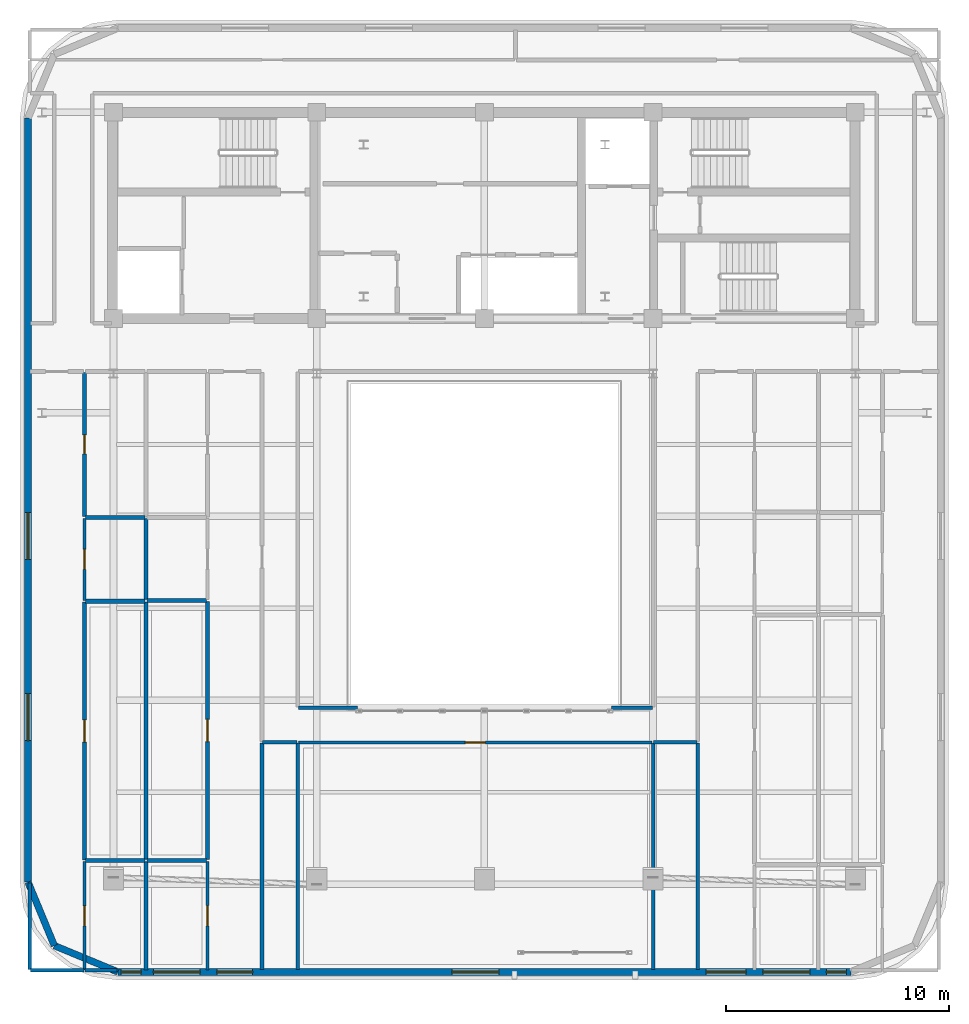
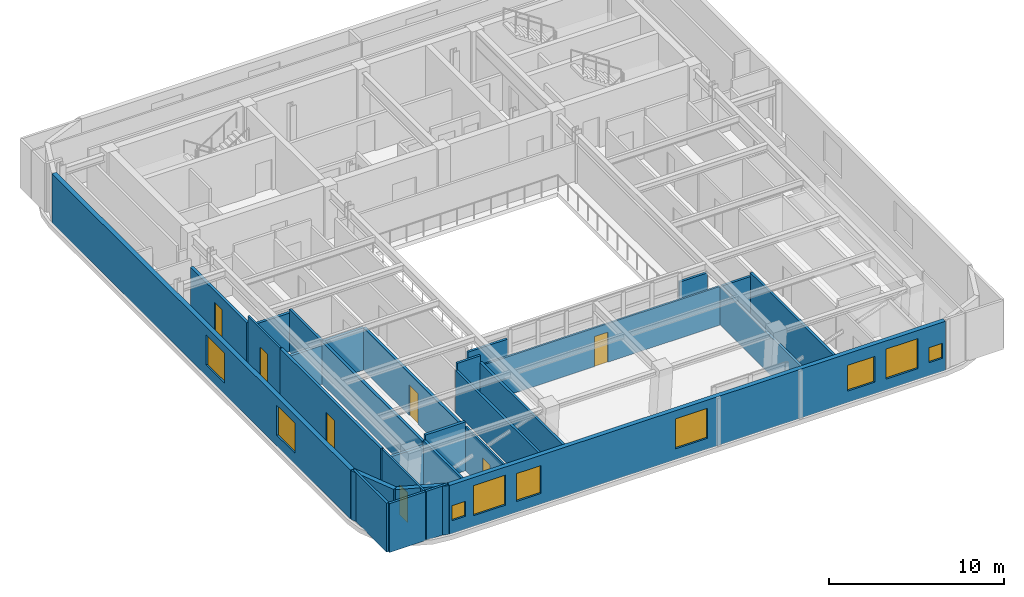
# One storey, part 7 of 14: 30 walls, 9 windows, 7 doors, 16 openings.
"""IFC4 building model written with IfcOpenShell, lengths in metres."""

from ifc_helpers import new_model, si_unit, direction, frame, frame_2d, origin, place, context, subcontext, project, spatial, rectangle, extrude, material, layer, layer_set, type_object, element, fill, save


model = new_model("IFC4")

# Units and contexts
model_context = context("Model", 3, precision=1e-05, world=origin(), true_north=direction((0.0, 1.0)))
body_context = subcontext(model_context, "Body", "Model", "MODEL_VIEW")
ifc_project = project(units=[si_unit("LENGTHUNIT", "METRE"), si_unit("AREAUNIT", "SQUARE_METRE"), si_unit("VOLUMEUNIT", "CUBIC_METRE"), si_unit("PLANEANGLEUNIT", "RADIAN"), si_unit("MASSUNIT", "GRAM", prefix="KILO")], contexts=[model_context])

# Site, building, storey
site_placement = place(None, origin())
site = spatial("IfcSite", under=ifc_project, at=site_placement, CompositionType="ELEMENT")
building_placement = place(site_placement, origin())
building = spatial("IfcBuilding", under=site, at=building_placement, Name="Zarnavel Station Tower", CompositionType="ELEMENT")
storey_placement = place(building_placement, frame((0.0, 0.0, 258.39990234375)))
storey = spatial("IfcBuildingStorey", under=building, at=storey_placement, Name="L70", CompositionType="ELEMENT", Elevation=258.39990234375)

# Wall, openings, windows
ifc_material_1 = material(Name="Precast concrete C45/55 (Dark Basalt Finish)", Category="masonry")
ifc_layer_1 = layer(ifc_material_1, 0.300048828125)
ifc_layer_set_1 = layer_set([ifc_layer_1], Name="EW_BASALT_300")
wall_type_1 = type_object("IfcWallType", Name="EW_BASALT_300", PredefinedType="SOLIDWALL", material=ifc_layer_set_1)
wall_1_placement = place(storey_placement, frame((8.3798828125, 2.60009765625, 0.0), z_axis=(0.0, 0.0, 1.0), x_axis=(0.0, 1.0, 0.0)))
wall_1 = element("IfcWall", 1, at=wall_1_placement, inside=storey, type_object=wall_type_1, Name="L70 Exterior Basalt Masonry Frame Wall 09", PredefinedType="SOLIDWALL", context=body_context, shape_type="SweptSolid", body=[
    extrude(rectangle(XDim=34.199951171875, YDim=0.300048828125, at=frame_2d((17.10009765625, 0.0))), origin(), (0.0, 0.0, 1.0), 3.420166015625),
])
opening_1_placement = place(wall_1_placement, frame((6.330078125, 0.0, 0.75)))
opening_1 = element("IfcOpeningElement", 2, at=opening_1_placement, cuts=wall_1, Name="Opening WN05", PredefinedType="OPENING", context=body_context, shape_type="SweptSolid", body=[
    extrude(rectangle(XDim=2.10009765625, YDim=2.10009765625, at=frame_2d((1.050048828125, 1.050048828125))), frame((0.0, 0.159912109375, 0.0), z_axis=(0.0, -1.0, 0.0), x_axis=(1.0, 0.0, 0.0)), (0.0, 0.0, 1.0), 0.320068359375),
])
opening_2_placement = place(wall_1_placement, frame((14.43994140625, 0.0, 0.75)))
opening_2 = element("IfcOpeningElement", 3, at=opening_2_placement, cuts=wall_1, Name="Opening WN05", PredefinedType="OPENING", context=body_context, shape_type="SweptSolid", body=[
    extrude(rectangle(XDim=2.10009765625, YDim=2.10009765625, at=frame_2d((1.050048828125, 1.050048828125))), frame((0.0, 0.159912109375, 0.0), z_axis=(0.0, -1.0, 0.0), x_axis=(1.0, 0.0, 0.0)), (0.0, 0.0, 1.0), 0.320068359375),
])
ifc_material_2 = material(Name="Thermally Broken Black Aluminium and Low-E Dark Glass", Category="aluminium")
window_type_1 = type_object("IfcWindowType", Name="WN_2100x2100", PartitioningType="TRIPLE_PANEL_VERTICAL", PredefinedType="WINDOW", material=ifc_material_2)
window_1_placement = place(opening_1_placement, origin())
window_1 = element("IfcWindow", 4, at=window_1_placement, inside=storey, type_object=window_type_1, Name="L70 Recessed Facade Window 01", OverallHeight=2.10009765625, OverallWidth=2.10009765625, PartitioningType="SINGLE_PANEL", PredefinedType="WINDOW", context=body_context, shape_type="SweptSolid", body=[
    extrude(rectangle(XDim=2.10009765625, YDim=2.10009765625, at=frame_2d((1.050048828125, 1.050048828125))), frame((0.0, 0.030029296875, 0.0), z_axis=(0.0, -1.0, 0.0), x_axis=(1.0, 0.0, 0.0)), (0.0, 0.0, 1.0), 0.06005859375),
])
fill(opening_1, window_1)
window_2_placement = place(opening_2_placement, origin())
window_2 = element("IfcWindow", 5, at=window_2_placement, inside=storey, type_object=window_type_1, Name="L70 Recessed Facade Window 02", OverallHeight=2.10009765625, OverallWidth=2.10009765625, PartitioningType="SINGLE_PANEL", PredefinedType="WINDOW", context=body_context, shape_type="SweptSolid", body=[
    extrude(rectangle(XDim=2.10009765625, YDim=2.10009765625, at=frame_2d((1.050048828125, 1.050048828125))), frame((0.0, 0.030029296875, 0.0), z_axis=(0.0, -1.0, 0.0), x_axis=(1.0, 0.0, 0.0)), (0.0, 0.0, 1.0), 0.06005859375),
])
fill(opening_2, window_2)

# Walls
wall_2_placement = place(storey_placement, frame((9.557373046875, -0.24267578125, 0.0), z_axis=(0.0, 0.0, 1.0), x_axis=(-0.382676475685, 0.923882414032, 0.0)))
element("IfcWall", 6, at=wall_2_placement, inside=storey, type_object=wall_type_1, Name="L70 Exterior Basalt Masonry Frame Wall 10", PredefinedType="SOLIDWALL", context=body_context, shape_type="SweptSolid", body=[
    extrude(rectangle(XDim=3.076904296875, YDim=0.300048828125, at=frame_2d((1.53857421875, 0.0))), origin(), (0.0, 0.0, 1.0), 3.420166015625),
])
wall_3_placement = place(storey_placement, frame((12.39990234375, -1.419921875, 0.0), z_axis=(0.0, 0.0, 1.0), x_axis=(-0.92389884758, 0.382636798336, 0.0)))
element("IfcWall", 7, at=wall_3_placement, inside=storey, type_object=wall_type_1, Name="L70 Exterior Basalt Masonry Frame Wall 11", PredefinedType="SOLIDWALL", context=body_context, shape_type="SweptSolid", body=[
    extrude(rectangle(XDim=3.07666015625, YDim=0.300048828125, at=frame_2d((1.538330078125, 0.0))), origin(), (0.0, 0.0, 1.0), 3.420166015625),
])

# Wall, openings, windows
wall_4_placement = place(storey_placement, frame((45.199951171875, -1.419921875, 0.0), z_axis=(0.0, 0.0, 1.0), x_axis=(-1.0, 0.0, 0.0)))
wall_4 = element("IfcWall", 8, at=wall_4_placement, inside=storey, type_object=wall_type_1, Name="L70 Exterior Basalt Masonry Frame Wall 12", PredefinedType="SOLIDWALL", context=body_context, shape_type="SweptSolid", body=[
    extrude(rectangle(XDim=32.800048828125, YDim=0.300048828125, at=frame_2d((16.39990234375, 0.0))), origin(), (0.0, 0.0, 1.0), 3.420166015625),
])
opening_3_placement = place(wall_4_placement, frame((26.76953125, 0.0, 0.75)))
opening_3 = element("IfcOpeningElement", 9, at=opening_3_placement, cuts=wall_4, Name="Opening WN06", PredefinedType="OPENING", context=body_context, shape_type="SweptSolid", body=[
    extrude(rectangle(XDim=1.60009765625, YDim=1.949951171875, at=frame_2d((0.800048828125, 0.97509765625))), frame((0.0, 0.159912109375, 0.0), z_axis=(0.0, -1.0, 0.0), x_axis=(1.0, 0.0, 0.0)), (0.0, 0.0, 1.0), 0.320068359375),
])
opening_4_placement = place(wall_4_placement, frame((29.114501953125, 0.0, 0.75)))
opening_4 = element("IfcOpeningElement", 10, at=opening_4_placement, cuts=wall_4, Name="Opening WN05", PredefinedType="OPENING", context=body_context, shape_type="SweptSolid", body=[
    extrude(rectangle(XDim=2.10009765625, YDim=2.10009765625, at=frame_2d((1.050048828125, 1.050048828125))), frame((0.0, 0.159912109375, 0.0), z_axis=(0.0, -1.0, 0.0), x_axis=(1.0, 0.0, 0.0)), (0.0, 0.0, 1.0), 0.320068359375),
])
opening_5_placement = place(wall_4_placement, frame((15.75, 0.0, 0.75)))
opening_5 = element("IfcOpeningElement", 11, at=opening_5_placement, cuts=wall_4, Name="Opening WN05", PredefinedType="OPENING", context=body_context, shape_type="SweptSolid", body=[
    extrude(rectangle(XDim=2.10009765625, YDim=2.10009765625, at=frame_2d((1.050048828125, 1.050048828125))), frame((0.0, 0.159912109375, 0.0), z_axis=(0.0, -1.0, 0.0), x_axis=(1.0, 0.0, 0.0)), (0.0, 0.0, 1.0), 0.320068359375),
])
opening_6_placement = place(wall_4_placement, frame((4.680908203125, 0.0, 0.800048828125)))
opening_6 = element("IfcOpeningElement", 12, at=opening_6_placement, cuts=wall_4, Name="Opening WN02", PredefinedType="OPENING", context=body_context, shape_type="SweptSolid", body=[
    extrude(rectangle(XDim=1.800048828125, YDim=1.800048828125, at=frame_2d((0.89990234375, 0.89990234375))), frame((0.0, 0.159912109375, 0.0), z_axis=(0.0, -1.0, 0.0), x_axis=(1.0, 0.0, 0.0)), (0.0, 0.0, 1.0), 0.320068359375),
])
opening_7_placement = place(wall_4_placement, frame((1.8310546875, 0.0, 0.75)))
opening_7 = element("IfcOpeningElement", 13, at=opening_7_placement, cuts=wall_4, Name="Opening WN05", PredefinedType="OPENING", context=body_context, shape_type="SweptSolid", body=[
    extrude(rectangle(XDim=2.10009765625, YDim=2.10009765625, at=frame_2d((1.050048828125, 1.050048828125))), frame((0.0, 0.159912109375, 0.0), z_axis=(0.0, -1.0, 0.0), x_axis=(1.0, 0.0, 0.0)), (0.0, 0.0, 1.0), 0.320068359375),
])
opening_8_placement = place(wall_4_placement, frame((0.199951171875, 0.0, 0.89990234375)))
opening_8 = element("IfcOpeningElement", 14, at=opening_8_placement, cuts=wall_4, Name="Opening WN11", PredefinedType="OPENING", context=body_context, shape_type="SweptSolid", body=[
    extrude(rectangle(XDim=0.89990234375, YDim=1.050048828125, at=frame_2d((0.449951171875, 0.52490234375))), frame((0.0, 0.159912109375, 0.0), z_axis=(0.0, -1.0, 0.0), x_axis=(1.0, 0.0, 0.0)), (0.0, 0.0, 1.0), 0.320068359375),
])
opening_9_placement = place(wall_4_placement, frame((31.760009765625, 0.0, 0.89990234375)))
opening_9 = element("IfcOpeningElement", 15, at=opening_9_placement, cuts=wall_4, Name="Opening WN11", PredefinedType="OPENING", context=body_context, shape_type="SweptSolid", body=[
    extrude(rectangle(XDim=0.89990234375, YDim=1.050048828125, at=frame_2d((0.449951171875, 0.52490234375))), frame((0.0, 0.159912109375, 0.0), z_axis=(0.0, -1.0, 0.0), x_axis=(1.0, 0.0, 0.0)), (0.0, 0.0, 1.0), 0.320068359375),
])
ifc_material_3 = material(Name="Thermally Broken Black Anodised Aluminium and Double Low-E Glazing", Category="aluminium")
window_type_2 = type_object("IfcWindowType", Name="WN_0900x1050", PartitioningType="SINGLE_PANEL", PredefinedType="WINDOW", material=ifc_material_3)
window_3_placement = place(opening_8_placement, origin())
window_3 = element("IfcWindow", 16, at=window_3_placement, inside=storey, type_object=window_type_2, Name="L70 South Bedroom Window UE2B1", OverallHeight=1.050048828125, OverallWidth=0.89990234375, PartitioningType="SINGLE_PANEL", PredefinedType="WINDOW", context=body_context, shape_type="SweptSolid", body=[
    extrude(rectangle(XDim=0.89990234375, YDim=1.050048828125, at=frame_2d((0.449951171875, 0.52490234375))), frame((0.0, 0.030029296875, 0.0), z_axis=(0.0, -1.0, 0.0), x_axis=(1.0, 0.0, 0.0)), (0.0, 0.0, 1.0), 0.06005859375),
])
fill(opening_8, window_3)
window_4_placement = place(opening_9_placement, origin())
window_4 = element("IfcWindow", 17, at=window_4_placement, inside=storey, type_object=window_type_2, Name="L70 South Bedroom Window UW1B1", OverallHeight=1.050048828125, OverallWidth=0.89990234375, PartitioningType="SINGLE_PANEL", PredefinedType="WINDOW", context=body_context, shape_type="SweptSolid", body=[
    extrude(rectangle(XDim=0.89990234375, YDim=1.050048828125, at=frame_2d((0.449951171875, 0.52490234375))), frame((0.0, 0.030029296875, 0.0), z_axis=(0.0, -1.0, 0.0), x_axis=(1.0, 0.0, 0.0)), (0.0, 0.0, 1.0), 0.06005859375),
])
fill(opening_9, window_4)
ifc_material_4 = material(Name="Thermally Broken Black Aluminium and Low-E Dark Glass", Category="aluminium")
window_type_3 = type_object("IfcWindowType", Name="WN_1600x1950", PartitioningType="DOUBLE_PANEL_VERTICAL", PredefinedType="WINDOW", material=ifc_material_4)
window_5_placement = place(opening_3_placement, origin())
window_5 = element("IfcWindow", 18, at=window_5_placement, inside=storey, type_object=window_type_3, Name="L70 Recessed Facade Window 01", OverallHeight=1.949951171875, OverallWidth=1.60009765625, PartitioningType="SINGLE_PANEL", PredefinedType="WINDOW", context=body_context, shape_type="SweptSolid", body=[
    extrude(rectangle(XDim=1.60009765625, YDim=1.949951171875, at=frame_2d((0.800048828125, 0.97509765625))), frame((0.0, 0.030029296875, 0.0), z_axis=(0.0, -1.0, 0.0), x_axis=(1.0, 0.0, 0.0)), (0.0, 0.0, 1.0), 0.06005859375),
])
fill(opening_3, window_5)
ifc_material_5 = material(Name="Thermally Broken Black Aluminium and Low-E Dark Glass", Category="aluminium")
window_type_4 = type_object("IfcWindowType", Name="WN_1800x1800", PartitioningType="DOUBLE_PANEL_VERTICAL", PredefinedType="WINDOW", material=ifc_material_5)
window_6_placement = place(opening_6_placement, origin())
window_6 = element("IfcWindow", 19, at=window_6_placement, inside=storey, type_object=window_type_4, Name="L70 Recessed Facade Window 04", OverallHeight=1.800048828125, OverallWidth=1.800048828125, PartitioningType="SINGLE_PANEL", PredefinedType="WINDOW", context=body_context, shape_type="SweptSolid", body=[
    extrude(rectangle(XDim=1.800048828125, YDim=1.800048828125, at=frame_2d((0.89990234375, 0.89990234375))), frame((0.0, 0.030029296875, 0.0), z_axis=(0.0, -1.0, 0.0), x_axis=(1.0, 0.0, 0.0)), (0.0, 0.0, 1.0), 0.06005859375),
])
fill(opening_6, window_6)
window_7_placement = place(opening_4_placement, origin())
window_7 = element("IfcWindow", 20, at=window_7_placement, inside=storey, type_object=window_type_1, Name="L70 Recessed Facade Window 02", OverallHeight=2.10009765625, OverallWidth=2.10009765625, PartitioningType="SINGLE_PANEL", PredefinedType="WINDOW", context=body_context, shape_type="SweptSolid", body=[
    extrude(rectangle(XDim=2.10009765625, YDim=2.10009765625, at=frame_2d((1.050048828125, 1.050048828125))), frame((0.0, 0.030029296875, 0.0), z_axis=(0.0, -1.0, 0.0), x_axis=(1.0, 0.0, 0.0)), (0.0, 0.0, 1.0), 0.06005859375),
])
fill(opening_4, window_7)
window_8_placement = place(opening_5_placement, origin())
window_8 = element("IfcWindow", 21, at=window_8_placement, inside=storey, type_object=window_type_1, Name="L70 Recessed Facade Window 03", OverallHeight=2.10009765625, OverallWidth=2.10009765625, PartitioningType="SINGLE_PANEL", PredefinedType="WINDOW", context=body_context, shape_type="SweptSolid", body=[
    extrude(rectangle(XDim=2.10009765625, YDim=2.10009765625, at=frame_2d((1.050048828125, 1.050048828125))), frame((0.0, 0.030029296875, 0.0), z_axis=(0.0, -1.0, 0.0), x_axis=(1.0, 0.0, 0.0)), (0.0, 0.0, 1.0), 0.06005859375),
])
fill(opening_5, window_8)
window_9_placement = place(opening_7_placement, origin())
window_9 = element("IfcWindow", 22, at=window_9_placement, inside=storey, type_object=window_type_1, Name="L70 Recessed Facade Window 05", OverallHeight=2.10009765625, OverallWidth=2.10009765625, PartitioningType="SINGLE_PANEL", PredefinedType="WINDOW", context=body_context, shape_type="SweptSolid", body=[
    extrude(rectangle(XDim=2.10009765625, YDim=2.10009765625, at=frame_2d((1.050048828125, 1.050048828125))), frame((0.0, 0.030029296875, 0.0), z_axis=(0.0, -1.0, 0.0), x_axis=(1.0, 0.0, 0.0)), (0.0, 0.0, 1.0), 0.06005859375),
])
fill(opening_7, window_9)

# Walls
ifc_material_6 = material(Name="Gypsum Twin-Stud Acoustic Fire Partition", Category="concrete")
ifc_layer_2 = layer(ifc_material_6, 0.159912109375)
ifc_layer_set_2 = layer_set([ifc_layer_2], Name="PT_DEMISE_160")
wall_type_2 = type_object("IfcWallType", Name="PT_DEMISE_160", PredefinedType="PARTITIONING", material=ifc_layer_set_2)
wall_5_placement = place(storey_placement, frame((13.659912109375, -1.340087890625, 0.0), z_axis=(0.0, 0.0, 1.0), x_axis=(0.0, 1.0, 0.0)))
element("IfcWall", 23, at=wall_5_placement, inside=storey, type_object=wall_type_2, Name="L70 Partition UW1B1-UW2B1", PredefinedType="PARTITIONING", context=body_context, shape_type="SweptSolid", body=[
    extrude(rectangle(XDim=4.858154296875, YDim=0.159912109375, at=frame_2d((2.42919921875, 0.0))), origin(), (0.0, 0.0, 1.0), 3.080078125),
])
wall_6_placement = place(storey_placement, frame((13.659912109375, 15.239013671875, 0.0), z_axis=(0.0, 0.0, 1.0), x_axis=(0.0, 1.0, 0.0)))
element("IfcWall", 24, at=wall_6_placement, inside=storey, type_object=wall_type_2, Name="L70 Partition UW1UT-UW2UT", PredefinedType="PARTITIONING", context=body_context, shape_type="SweptSolid", body=[
    extrude(rectangle(XDim=3.6279296875, YDim=0.159912109375, at=frame_2d((1.81396484375, 0.0))), origin(), (0.0, 0.0, 1.0), 2.9501953125),
])
wall_7_placement = place(storey_placement, frame((18.8798828125, 8.85009765625, 0.0), z_axis=(0.0, 0.0, 1.0), x_axis=(1.0, 0.0, 0.0)))
element("IfcWall", 25, at=wall_7_placement, inside=storey, type_object=wall_type_2, Name="L70 Enclosure Wall COR-AW", PredefinedType="PARTITIONING", context=body_context, shape_type="SweptSolid", body=[
    extrude(rectangle(XDim=1.5400390625, YDim=0.159912109375, at=frame_2d((0.77001953125, 0.0))), origin(), (0.0, 0.0, 1.0), 3.420166015625),
])
wall_8_placement = place(storey_placement, frame((36.3798828125, 8.85009765625, 0.0), z_axis=(0.0, 0.0, 1.0), x_axis=(1.0, 0.0, 0.0)))
element("IfcWall", 26, at=wall_8_placement, inside=storey, type_object=wall_type_2, Name="L70 Enclosure Wall COR-AE", PredefinedType="PARTITIONING", context=body_context, shape_type="SweptSolid", body=[
    extrude(rectangle(XDim=1.940185546875, YDim=0.159912109375, at=frame_2d((0.97021484375, 0.0))), origin(), (0.0, 0.0, 1.0), 2.7001953125),
])
wall_9_placement = place(storey_placement, frame((20.47998046875, 10.39990234375, 0.0), z_axis=(0.0, 0.0, 1.0), x_axis=(1.0, 0.0, 0.0)))
element("IfcWall", 27, at=wall_9_placement, inside=storey, type_object=wall_type_2, Name="L70 Enclosure Wall COR-AS", PredefinedType="PARTITIONING", context=body_context, shape_type="SweptSolid", body=[
    extrude(rectangle(XDim=2.64013671875, YDim=0.159912109375, at=frame_2d((1.320068359375, 0.0))), origin(), (0.0, 0.0, 1.0), 2.7001953125),
])
wall_10_placement = place(storey_placement, frame((34.47998046875, 10.39990234375, 0.0), z_axis=(0.0, 0.0, 1.0), x_axis=(1.0, 0.0, 0.0)))
element("IfcWall", 28, at=wall_10_placement, inside=storey, type_object=wall_type_2, Name="L70 Enclosure Wall COR-AS", PredefinedType="PARTITIONING", context=body_context, shape_type="SweptSolid", body=[
    extrude(rectangle(XDim=1.840087890625, YDim=0.159912109375, at=frame_2d((0.919921875, 0.0))), origin(), (0.0, 0.0, 1.0), 2.7001953125),
])
wall_11_placement = place(storey_placement, frame((8.489990234375, -1.340087890625, 0.0), z_axis=(0.0, 0.0, 1.0), x_axis=(1.0, 0.0, 0.0)))
element("IfcWall", 29, at=wall_11_placement, inside=storey, type_object=wall_type_2, Name="L70 Enclosure Wall UW1LV", PredefinedType="PARTITIONING", context=body_context, shape_type="SweptSolid", body=[
    extrude(rectangle(XDim=2.384033203125, YDim=0.159912109375, at=frame_2d((1.19189453125, 0.0))), origin(), (0.0, 0.0, 1.0), 3.420166015625),
])
wall_12_placement = place(storey_placement, frame((8.4599609375, -1.31005859375, 0.0), z_axis=(0.0, 0.0, 1.0), x_axis=(0.0, 1.0, 0.0)))
element("IfcWall", 30, at=wall_12_placement, inside=storey, type_object=wall_type_2, Name="L70 Enclosure Wall UW1LV", PredefinedType="PARTITIONING", context=body_context, shape_type="SweptSolid", body=[
    extrude(rectangle(XDim=3.880126953125, YDim=0.159912109375, at=frame_2d((1.93994140625, 0.0))), origin(), (0.0, 0.0, 1.0), 3.420166015625),
])
wall_13_placement = place(storey_placement, frame((10.93408203125, -1.340087890625, 0.0), z_axis=(0.0, 0.0, 1.0), x_axis=(1.0, 0.0, 0.0)))
element("IfcWall", 31, at=wall_13_placement, inside=storey, type_object=wall_type_2, Name="L70 Enclosure Wall UW1B1", PredefinedType="PARTITIONING", context=body_context, shape_type="SweptSolid", body=[
    extrude(rectangle(XDim=1.43603515625, YDim=0.159912109375, at=frame_2d((0.718017578125, 0.0))), origin(), (0.0, 0.0, 1.0), 3.420166015625),
])
for number, where, z_axis, x_axis, name in (
    (32, (18.85009765625, -1.31005859375, 0.0), (0.0, 0.0, 1.0), (0.0, 1.0, 0.0), "L70 Enclosure Wall UW2LV"),
    (33, (20.449951171875, -1.31005859375, 0.0), (0.0, 0.0, 1.0), (0.0, 1.0, 0.0), "L70 Enclosure Wall L69OBS"),
):
    element("IfcWall", number, at=place(storey_placement, frame(where, z_axis=z_axis, x_axis=x_axis)), inside=storey, type_object=wall_type_2, Name=name, PredefinedType="PARTITIONING", context=body_context, shape_type="SweptSolid", body=[
        extrude(rectangle(XDim=10.130126953125, YDim=0.159912109375, at=frame_2d((5.06494140625, 0.0))), origin(), (0.0, 0.0, 1.0), 2.9501953125),
    ])
wall_14_placement = place(storey_placement, frame((36.35009765625, -1.31005859375, 0.0), z_axis=(0.0, 0.0, 1.0), x_axis=(0.0, 1.0, 0.0)))
element("IfcWall", 34, at=wall_14_placement, inside=storey, type_object=wall_type_2, Name="L70 Enclosure Wall L69OBS", PredefinedType="PARTITIONING", context=body_context, shape_type="SweptSolid", body=[
    extrude(rectangle(XDim=10.130126953125, YDim=0.159912109375, at=frame_2d((5.06494140625, 0.0))), origin(), (0.0, 0.0, 1.0), 2.7001953125),
])
wall_15_placement = place(storey_placement, frame((38.35009765625, -1.31005859375, 0.0), z_axis=(0.0, 0.0, 1.0), x_axis=(0.0, 1.0, 0.0)))
element("IfcWall", 35, at=wall_15_placement, inside=storey, type_object=wall_type_2, Name="L70 Enclosure Wall UE1LV", PredefinedType="PARTITIONING", context=body_context, shape_type="SweptSolid", body=[
    extrude(rectangle(XDim=10.130126953125, YDim=0.159912109375, at=frame_2d((5.06494140625, 0.0))), origin(), (0.0, 0.0, 1.0), 2.9501953125),
])

# Wall, opening, door
ifc_material_7 = material(Name="Gypsum Metal-Stud Interior Partition", Category="concrete")
ifc_layer_3 = layer(ifc_material_7, 0.1201171875)
ifc_layer_set_3 = layer_set([ifc_layer_3], Name="PT_ROOM_120")
wall_type_3 = type_object("IfcWallType", Name="PT_ROOM_120", PredefinedType="PARTITIONING", material=ifc_layer_set_3)
wall_16_placement = place(storey_placement, frame((20.489990234375, 8.85009765625, 0.0), z_axis=(0.0, 0.0, 1.0), x_axis=(1.0, 0.0, 0.0)))
wall_16 = element("IfcWall", 36, at=wall_16_placement, inside=storey, type_object=wall_type_3, Name="L70 Partition COR-AS-L69OBS", PredefinedType="PARTITIONING", context=body_context, shape_type="SweptSolid", body=[
    extrude(rectangle(XDim=15.820068359375, YDim=0.1201171875, at=frame_2d((7.91015625, 0.0))), origin(), (0.0, 0.0, 1.0), 2.7001953125),
])
opening_10_placement = place(wall_16_placement, frame((7.4599609375, 0.0, 0.0)))
opening_10 = element("IfcOpeningElement", 37, at=opening_10_placement, cuts=wall_16, Name="Opening ID01", PredefinedType="OPENING", context=body_context, shape_type="SweptSolid", body=[
    extrude(rectangle(XDim=0.89990234375, YDim=2.10009765625, at=frame_2d((0.449951171875, 1.050048828125))), frame((0.0, 0.070068359375, 0.0), z_axis=(0.0, -1.0, 0.0), x_axis=(1.0, 0.0, 0.0)), (0.0, 0.0, 1.0), 0.14013671875),
])
ifc_material_8 = material(Name="Painted Galvanised Steel and Hardwood Leaf", Category="steel")
door_type_1 = type_object("IfcDoorType", Name="ID_ROOM_900", OperationType="NOTDEFINED", PredefinedType="DOOR", material=ifc_material_8)
door_1_placement = place(opening_10_placement, origin())
door_1 = element("IfcDoor", 38, at=door_1_placement, inside=storey, type_object=door_type_1, Name="L70 Door COR-AS-L69OBS", OperationType="SINGLE_SWING_LEFT", OverallHeight=2.10009765625, OverallWidth=0.89990234375, PredefinedType="DOOR", context=body_context, shape_type="SweptSolid", body=[
    extrude(rectangle(XDim=0.89990234375, YDim=2.10009765625, at=frame_2d((0.449951171875, 1.050048828125))), frame((0.0, 0.02490234375, 0.0), z_axis=(0.0, -1.0, 0.0), x_axis=(1.0, 0.0, 0.0)), (0.0, 0.0, 1.0), 0.050048828125),
])
fill(opening_10, door_1)

wall_17_placement = place(storey_placement, frame((10.904052734375, -1.340087890625, 0.0), z_axis=(0.0, 0.0, 1.0), x_axis=(0.0, 1.0, 0.0)))
wall_17 = element("IfcWall", 39, at=wall_17_placement, inside=storey, type_object=wall_type_3, Name="L70 Partition UW1LV-UW1B1", PredefinedType="PARTITIONING", context=body_context, shape_type="SweptSolid", body=[
    extrude(rectangle(XDim=4.858154296875, YDim=0.1201171875, at=frame_2d((2.42919921875, 0.0))), origin(), (0.0, 0.0, 1.0), 3.420166015625),
])
opening_11_placement = place(wall_17_placement, frame((1.97900390625, 0.0, 0.0)))
opening_11 = element("IfcOpeningElement", 40, at=opening_11_placement, cuts=wall_17, Name="Opening ID01", PredefinedType="OPENING", context=body_context, shape_type="SweptSolid", body=[
    extrude(rectangle(XDim=0.89990234375, YDim=2.10009765625, at=frame_2d((0.449951171875, 1.050048828125))), frame((0.0, 0.070068359375, 0.0), z_axis=(0.0, -1.0, 0.0), x_axis=(1.0, 0.0, 0.0)), (0.0, 0.0, 1.0), 0.14013671875),
])
door_2_placement = place(opening_11_placement, origin())
door_2 = element("IfcDoor", 41, at=door_2_placement, inside=storey, type_object=door_type_1, Name="L70 Door UW1LV-UW1B1", OperationType="SINGLE_SWING_RIGHT", OverallHeight=2.10009765625, OverallWidth=0.89990234375, PredefinedType="DOOR", context=body_context, shape_type="SweptSolid", body=[
    extrude(rectangle(XDim=0.89990234375, YDim=2.10009765625, at=frame_2d((0.449951171875, 1.050048828125))), frame((0.0, 0.02490234375, 0.0), z_axis=(0.0, -1.0, 0.0), x_axis=(1.0, 0.0, 0.0)), (0.0, 0.0, 1.0), 0.050048828125),
])
fill(opening_11, door_2)

wall_18_placement = place(storey_placement, frame((10.904052734375, 15.208984375, 0.0), z_axis=(0.0, 0.0, 1.0), x_axis=(0.0, 1.0, 0.0)))
wall_18 = element("IfcWall", 42, at=wall_18_placement, inside=storey, type_object=wall_type_3, Name="L70 Partition UW1LV-UW1UT", PredefinedType="PARTITIONING", context=body_context, shape_type="SweptSolid", body=[
    extrude(rectangle(XDim=3.669921875, YDim=0.1201171875, at=frame_2d((1.8349609375, 0.0))), origin(), (0.0, 0.0, 1.0), 3.420166015625),
])
opening_12_placement = place(wall_18_placement, frame((1.385009765625, 0.0, 0.0)))
opening_12 = element("IfcOpeningElement", 43, at=opening_12_placement, cuts=wall_18, Name="Opening ID01", PredefinedType="OPENING", context=body_context, shape_type="SweptSolid", body=[
    extrude(rectangle(XDim=0.89990234375, YDim=2.10009765625, at=frame_2d((0.449951171875, 1.050048828125))), frame((0.0, 0.070068359375, 0.0), z_axis=(0.0, -1.0, 0.0), x_axis=(1.0, 0.0, 0.0)), (0.0, 0.0, 1.0), 0.14013671875),
])
door_3_placement = place(opening_12_placement, origin())
door_3 = element("IfcDoor", 44, at=door_3_placement, inside=storey, type_object=door_type_1, Name="L70 Door UW1LV-UW1UT", OperationType="SINGLE_SWING_RIGHT", OverallHeight=2.10009765625, OverallWidth=0.89990234375, PredefinedType="DOOR", context=body_context, shape_type="SweptSolid", body=[
    extrude(rectangle(XDim=0.89990234375, YDim=2.10009765625, at=frame_2d((0.449951171875, 1.050048828125))), frame((0.0, 0.02490234375, 0.0), z_axis=(0.0, -1.0, 0.0), x_axis=(1.0, 0.0, 0.0)), (0.0, 0.0, 1.0), 0.050048828125),
])
fill(opening_12, door_3)

wall_19_placement = place(storey_placement, frame((16.410888671875, -1.340087890625, 0.0), z_axis=(0.0, 0.0, 1.0), x_axis=(0.0, 1.0, 0.0)))
wall_19 = element("IfcWall", 45, at=wall_19_placement, inside=storey, type_object=wall_type_3, Name="L70 Partition UW2LV-UW2B1", PredefinedType="PARTITIONING", context=body_context, shape_type="SweptSolid", body=[
    extrude(rectangle(XDim=4.8671875, YDim=0.1201171875, at=frame_2d((2.43359375, 0.0))), origin(), (0.0, 0.0, 1.0), 3.080078125),
])
opening_13_placement = place(wall_19_placement, frame((1.9833984375, 0.0, 0.0)))
opening_13 = element("IfcOpeningElement", 46, at=opening_13_placement, cuts=wall_19, Name="Opening ID01", PredefinedType="OPENING", context=body_context, shape_type="SweptSolid", body=[
    extrude(rectangle(XDim=0.89990234375, YDim=2.10009765625, at=frame_2d((0.449951171875, 1.050048828125))), frame((0.0, 0.070068359375, 0.0), z_axis=(0.0, -1.0, 0.0), x_axis=(1.0, 0.0, 0.0)), (0.0, 0.0, 1.0), 0.14013671875),
])
door_4_placement = place(opening_13_placement, origin())
door_4 = element("IfcDoor", 47, at=door_4_placement, inside=storey, type_object=door_type_1, Name="L70 Door UW2LV-UW2B1", OperationType="SINGLE_SWING_RIGHT", OverallHeight=2.10009765625, OverallWidth=0.89990234375, PredefinedType="DOOR", context=body_context, shape_type="SweptSolid", body=[
    extrude(rectangle(XDim=0.89990234375, YDim=2.10009765625, at=frame_2d((0.449951171875, 1.050048828125))), frame((0.0, 0.02490234375, 0.0), z_axis=(0.0, -1.0, 0.0), x_axis=(1.0, 0.0, 0.0)), (0.0, 0.0, 1.0), 0.050048828125),
])
fill(opening_13, door_4)

ifc_material_9 = material(Name="Moisture-Resistant Plumbing Chase Wall", Category="concrete")
ifc_layer_4 = layer(ifc_material_9, 0.179931640625)
ifc_layer_set_4 = layer_set([ifc_layer_4], Name="PW_PLUMB_180")
wall_type_4 = type_object("IfcWallType", Name="PW_PLUMB_180", PredefinedType="PLUMBINGWALL", material=ifc_layer_set_4)
wall_20_placement = place(storey_placement, frame((10.904052734375, 3.597900390625, 0.0), z_axis=(0.0, 0.0, 1.0), x_axis=(0.0, 1.0, 0.0)))
wall_20 = element("IfcWall", 48, at=wall_20_placement, inside=storey, type_object=wall_type_4, Name="L70 Partition UW1LV-UW1KT", PredefinedType="PLUMBINGWALL", context=body_context, shape_type="SweptSolid", body=[
    extrude(rectangle(XDim=11.531005859375, YDim=0.179931640625, at=frame_2d((5.765625, 0.0))), origin(), (0.0, 0.0, 1.0), 3.420166015625),
])
opening_14_placement = place(wall_20_placement, frame((5.265380859375, 0.0, 0.0)))
opening_14 = element("IfcOpeningElement", 49, at=opening_14_placement, cuts=wall_20, Name="Opening FD02", PredefinedType="OPENING", context=body_context, shape_type="SweptSolid", body=[
    extrude(rectangle(XDim=1.0, YDim=2.14990234375, at=frame_2d((0.5, 1.074951171875))), frame((0.0, 0.099853515625, 0.0), z_axis=(0.0, -1.0, 0.0), x_axis=(1.0, 0.0, 0.0)), (0.0, 0.0, 1.0), 0.199951171875),
])
ifc_material_10 = material(Name="Painted Galvanised Steel and Hardwood Leaf", Category="steel")
door_type_2 = type_object("IfcDoorType", Name="ID_ENTRY_1000", OperationType="NOTDEFINED", PredefinedType="DOOR", material=ifc_material_10)
door_5_placement = place(opening_14_placement, origin())
door_5 = element("IfcDoor", 50, at=door_5_placement, inside=storey, type_object=door_type_2, Name="L70 Door UW1LV-UW1KT", OperationType="SINGLE_SWING_LEFT", OverallHeight=2.14990234375, OverallWidth=1.0, PredefinedType="DOOR", context=body_context, shape_type="SweptSolid", body=[
    extrude(rectangle(XDim=1.0, YDim=2.14990234375, at=frame_2d((0.5, 1.074951171875))), frame((0.0, 0.02490234375, 0.0), z_axis=(0.0, -1.0, 0.0), x_axis=(1.0, 0.0, 0.0)), (0.0, 0.0, 1.0), 0.050048828125),
])
fill(opening_14, door_5)

wall_21_placement = place(storey_placement, frame((10.904052734375, 18.958984375, 0.0), z_axis=(0.0, 0.0, 1.0), x_axis=(0.0, 1.0, 0.0)))
wall_21 = element("IfcWall", 51, at=wall_21_placement, inside=storey, type_object=wall_type_4, Name="L70 Partition UW1LV-UW1BA", PredefinedType="PLUMBINGWALL", context=body_context, shape_type="SweptSolid", body=[
    extrude(rectangle(XDim=6.450927734375, YDim=0.179931640625, at=frame_2d((3.2255859375, 0.0))), origin(), (0.0, 0.0, 1.0), 2.900146484375),
])
opening_15_placement = place(wall_21_placement, frame((2.800537109375, 0.0, 0.0)))
opening_15 = element("IfcOpeningElement", 52, at=opening_15_placement, cuts=wall_21, Name="Opening ID02", PredefinedType="OPENING", context=body_context, shape_type="SweptSolid", body=[
    extrude(rectangle(XDim=0.85009765625, YDim=2.10009765625, at=frame_2d((0.425048828125, 1.050048828125))), frame((0.0, 0.099853515625, 0.0), z_axis=(0.0, -1.0, 0.0), x_axis=(1.0, 0.0, 0.0)), (0.0, 0.0, 1.0), 0.199951171875),
])
ifc_material_11 = material(Name="Painted Galvanised Steel and Hardwood Leaf", Category="steel")
door_type_3 = type_object("IfcDoorType", Name="ID_BATH_850", OperationType="NOTDEFINED", PredefinedType="DOOR", material=ifc_material_11)
door_6_placement = place(opening_15_placement, origin())
door_6 = element("IfcDoor", 53, at=door_6_placement, inside=storey, type_object=door_type_3, Name="L70 Door UW1LV-UW1BA", OperationType="SINGLE_SWING_LEFT", OverallHeight=2.10009765625, OverallWidth=0.85009765625, PredefinedType="DOOR", context=body_context, shape_type="SweptSolid", body=[
    extrude(rectangle(XDim=0.85009765625, YDim=2.10009765625, at=frame_2d((0.425048828125, 1.050048828125))), frame((0.0, 0.02490234375, 0.0), z_axis=(0.0, -1.0, 0.0), x_axis=(1.0, 0.0, 0.0)), (0.0, 0.0, 1.0), 0.050048828125),
])
fill(opening_15, door_6)

# Walls
for number, where, z_axis, x_axis, name in (
    (54, (10.944091796875, 3.55810546875, 0.0), (0.0, 0.0, 1.0), (1.0, 0.0, 0.0), "L70 Partition UW1B1-UW1KT"),
    (55, (10.944091796875, 15.1689453125, 0.0), (0.0, 0.0, 1.0), (1.0, 0.0, 0.0), "L70 Partition UW1KT-UW1UT"),
):
    element("IfcWall", number, at=place(storey_placement, frame(where, z_axis=z_axis, x_axis=x_axis)), inside=storey, type_object=wall_type_4, Name=name, PredefinedType="PLUMBINGWALL", context=body_context, shape_type="SweptSolid", body=[
        extrude(rectangle(XDim=2.676025390625, YDim=0.179931640625, at=frame_2d((1.337890625, 0.0))), origin(), (0.0, 0.0, 1.0), 2.7001953125),
    ])
wall_22_placement = place(storey_placement, frame((13.659912109375, 3.60693359375, 0.0), z_axis=(0.0, 0.0, 1.0), x_axis=(0.0, 1.0, 0.0)))
element("IfcWall", 56, at=wall_22_placement, inside=storey, type_object=wall_type_4, Name="L70 Partition UW1KT-UW2KT", PredefinedType="PLUMBINGWALL", context=body_context, shape_type="SweptSolid", body=[
    extrude(rectangle(XDim=11.52197265625, YDim=0.179931640625, at=frame_2d((5.760986328125, 0.0))), origin(), (0.0, 0.0, 1.0), 2.9501953125),
])
wall_23_placement = place(storey_placement, frame((10.944091796875, 18.9189453125, 0.0), z_axis=(0.0, 0.0, 1.0), x_axis=(1.0, 0.0, 0.0)))
element("IfcWall", 57, at=wall_23_placement, inside=storey, type_object=wall_type_4, Name="L70 Partition UW1UT-UW1BA", PredefinedType="PLUMBINGWALL", context=body_context, shape_type="SweptSolid", body=[
    extrude(rectangle(XDim=2.676025390625, YDim=0.179931640625, at=frame_2d((1.337890625, 0.0))), origin(), (0.0, 0.0, 1.0), 2.7001953125),
])

# Wall, opening, door
wall_24_placement = place(storey_placement, frame((16.410888671875, 3.60693359375, 0.0), z_axis=(0.0, 0.0, 1.0), x_axis=(0.0, 1.0, 0.0)))
wall_24 = element("IfcWall", 58, at=wall_24_placement, inside=storey, type_object=wall_type_4, Name="L70 Partition UW2LV-UW2KT", PredefinedType="PLUMBINGWALL", context=body_context, shape_type="SweptSolid", body=[
    extrude(rectangle(XDim=11.552001953125, YDim=0.179931640625, at=frame_2d((5.77587890625, 0.0))), origin(), (0.0, 0.0, 1.0), 2.9501953125),
])
opening_16_placement = place(wall_24_placement, frame((5.27587890625, 0.0, 0.0)))
opening_16 = element("IfcOpeningElement", 59, at=opening_16_placement, cuts=wall_24, Name="Opening FD02", PredefinedType="OPENING", context=body_context, shape_type="SweptSolid", body=[
    extrude(rectangle(XDim=1.0, YDim=2.14990234375, at=frame_2d((0.5, 1.074951171875))), frame((0.0, 0.099853515625, 0.0), z_axis=(0.0, -1.0, 0.0), x_axis=(1.0, 0.0, 0.0)), (0.0, 0.0, 1.0), 0.199951171875),
])
door_7_placement = place(opening_16_placement, origin())
door_7 = element("IfcDoor", 60, at=door_7_placement, inside=storey, type_object=door_type_2, Name="L70 Door UW2LV-UW2KT", OperationType="SINGLE_SWING_LEFT", OverallHeight=2.14990234375, OverallWidth=1.0, PredefinedType="DOOR", context=body_context, shape_type="SweptSolid", body=[
    extrude(rectangle(XDim=1.0, YDim=2.14990234375, at=frame_2d((0.5, 1.074951171875))), frame((0.0, 0.02490234375, 0.0), z_axis=(0.0, -1.0, 0.0), x_axis=(1.0, 0.0, 0.0)), (0.0, 0.0, 1.0), 0.050048828125),
])
fill(opening_16, door_7)

# Walls
wall_25_placement = place(storey_placement, frame((13.699951171875, 3.56689453125, 0.0), z_axis=(0.0, 0.0, 1.0), x_axis=(1.0, 0.0, 0.0)))
element("IfcWall", 61, at=wall_25_placement, inside=storey, type_object=wall_type_4, Name="L70 Partition UW2B1-UW2KT", PredefinedType="PLUMBINGWALL", context=body_context, shape_type="SweptSolid", body=[
    extrude(rectangle(XDim=2.671142578125, YDim=0.179931640625, at=frame_2d((1.33544921875, 0.0))), origin(), (0.0, 0.0, 1.0), 3.420166015625),
])
wall_26_placement = place(storey_placement, frame((13.699951171875, 15.198974609375, 0.0), z_axis=(0.0, 0.0, 1.0), x_axis=(1.0, 0.0, 0.0)))
element("IfcWall", 62, at=wall_26_placement, inside=storey, type_object=wall_type_4, Name="L70 Partition UW2KT-UW2UT", PredefinedType="PLUMBINGWALL", context=body_context, shape_type="SweptSolid", body=[
    extrude(rectangle(XDim=2.671142578125, YDim=0.179931640625, at=frame_2d((1.33544921875, 0.0))), origin(), (0.0, 0.0, 1.0), 2.9501953125),
])

save(model, "model.ifc")
